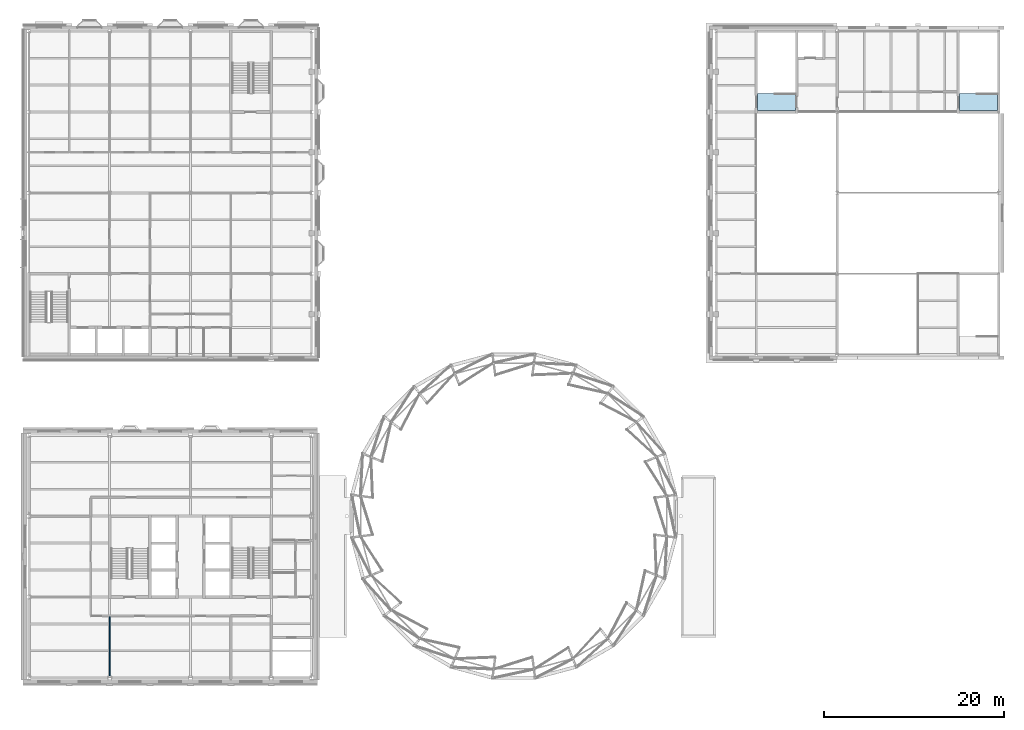
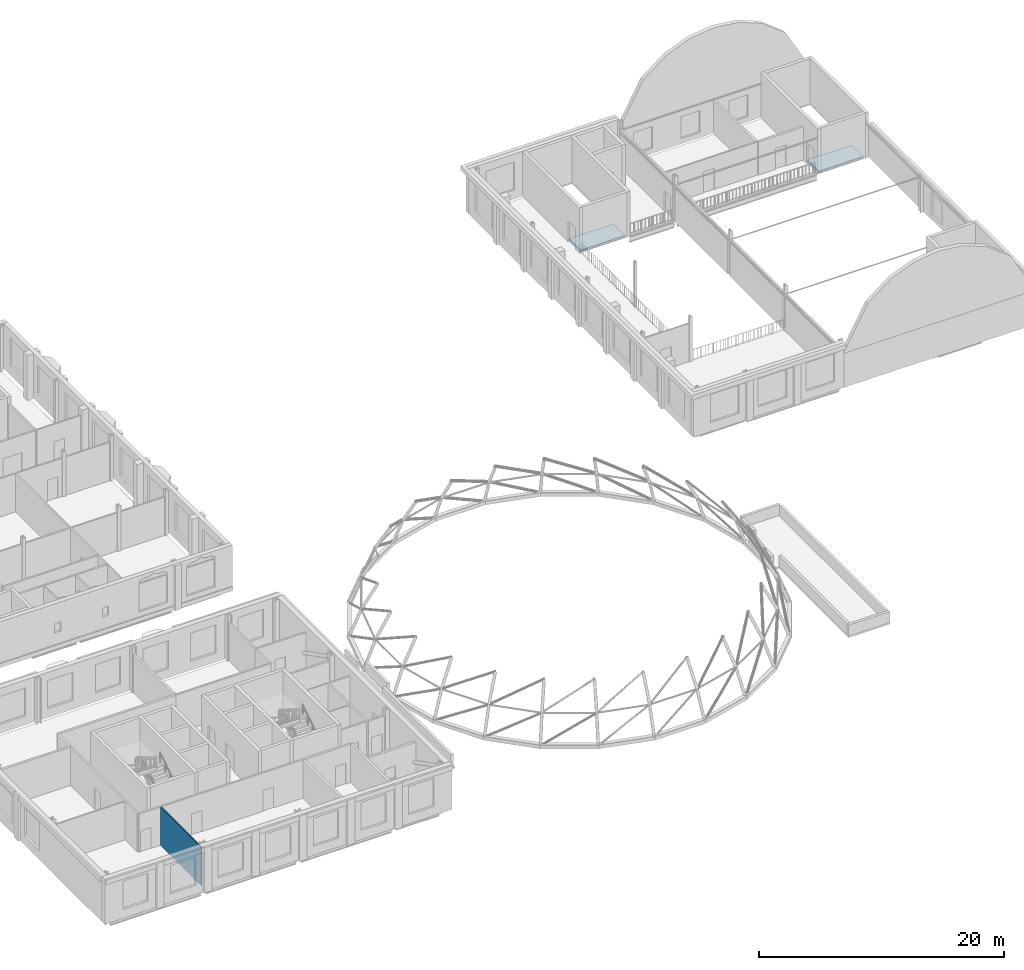
# One storey, part 22 of 59: 2 slabs, 1 wall.
"""IFC4 building model written with IfcOpenShell, lengths in metres."""

from ifc_helpers import new_model, si_unit, direction, frame, frame_2d, origin, place, context, subcontext, project, spatial, polyline, rectangle, outline, extrude, material, layer, layer_set, type_object, element, save


model = new_model("IFC4")

# Units and contexts
model_context = context("Model", 3, precision=1e-05, world=origin(), true_north=direction((0.0, 1.0)))
body_context = subcontext(model_context, "Body", "Model", "MODEL_VIEW")
ifc_project = project(units=[si_unit("LENGTHUNIT", "METRE"), si_unit("AREAUNIT", "SQUARE_METRE"), si_unit("VOLUMEUNIT", "CUBIC_METRE"), si_unit("PLANEANGLEUNIT", "RADIAN"), si_unit("MASSUNIT", "GRAM", prefix="KILO")], contexts=[model_context])

# Site, building, storey
site_placement = place(None, origin())
site = spatial("IfcSite", under=ifc_project, at=site_placement, CompositionType="ELEMENT")
building_placement = place(site_placement, origin())
building = spatial("IfcBuilding", under=site, at=building_placement, Name="Hortulan Conservatory and Botanical Research Centre", CompositionType="ELEMENT")
storey_placement = place(building_placement, frame((0.0, 0.0, 10.5)))
storey = spatial("IfcBuildingStorey", under=building, at=storey_placement, Name="L02", CompositionType="ELEMENT", Elevation=10.5)

# Slabs
ifc_material_1 = material(Name="Concrete N40 (40 MPa, AS 3600)", Category="concrete")
ifc_layer_1 = layer(ifc_material_1, 0.199951171875)
ifc_layer_set_1 = layer_set([ifc_layer_1], Name="Stair Landing 200")
slab_type = type_object("IfcSlabType", Name="Stair Landing 200", PredefinedType="LANDING", material=ifc_layer_set_1)
slab_1_placement = place(storey_placement, frame((0.0, 0.0, -0.199951171875)))
element("IfcSlab", 1, at=slab_1_placement, inside=storey, type_object=slab_type, Name="Stair A1 floor landing L02", PredefinedType="LANDING", context=body_context, shape_type="SweptSolid", body=[
    extrude(outline(polyline([(85.35009765625, 63.14990234375), (81.14990234375, 63.14990234375), (81.14990234375, 65.050048828125), (85.35009765625, 65.050048828125), (85.35009765625, 63.14990234375)])), origin(), (0.0, 0.0, 1.0), 0.199951171875),
])
slab_2_placement = place(storey_placement, frame((0.0, 0.0, -0.199951171875)))
element("IfcSlab", 2, at=slab_2_placement, inside=storey, type_object=slab_type, Name="Stair A3 floor landing L02", PredefinedType="LANDING", context=body_context, shape_type="SweptSolid", body=[
    extrude(outline(polyline([(107.85009765625, 63.14990234375), (103.64990234375, 63.14990234375), (103.64990234375, 65.050048828125), (107.85009765625, 65.050048828125), (107.85009765625, 63.14990234375)])), origin(), (0.0, 0.0, 1.0), 0.199951171875),
])

# Wall
ifc_material_2 = material(Name="Plasterboard on steel studs", Category="steel")
ifc_layer_2 = layer(ifc_material_2, 0.125)
ifc_layer_set_2 = layer_set([ifc_layer_2], Name="Partition 125")
wall_type = type_object("IfcWallType", Name="Partition 125", PredefinedType="PARTITIONING", material=ifc_layer_set_2)
wall_placement = place(storey_placement, frame((9.0, 0.220947265625, 0.0), z_axis=(0.0, 0.0, 1.0), x_axis=(0.0, 1.0, 0.0)))
element("IfcWall", 3, at=wall_placement, inside=storey, type_object=wall_type, Name="Partition", PredefinedType="PARTITIONING", context=body_context, shape_type="SweptSolid", body=[
    extrude(rectangle(XDim=6.593994140625, YDim=0.125, at=frame_2d((3.296875, 0.0))), origin(), (0.0, 0.0, 1.0), 3.822021484375),
])

save(model, "model.ifc")
